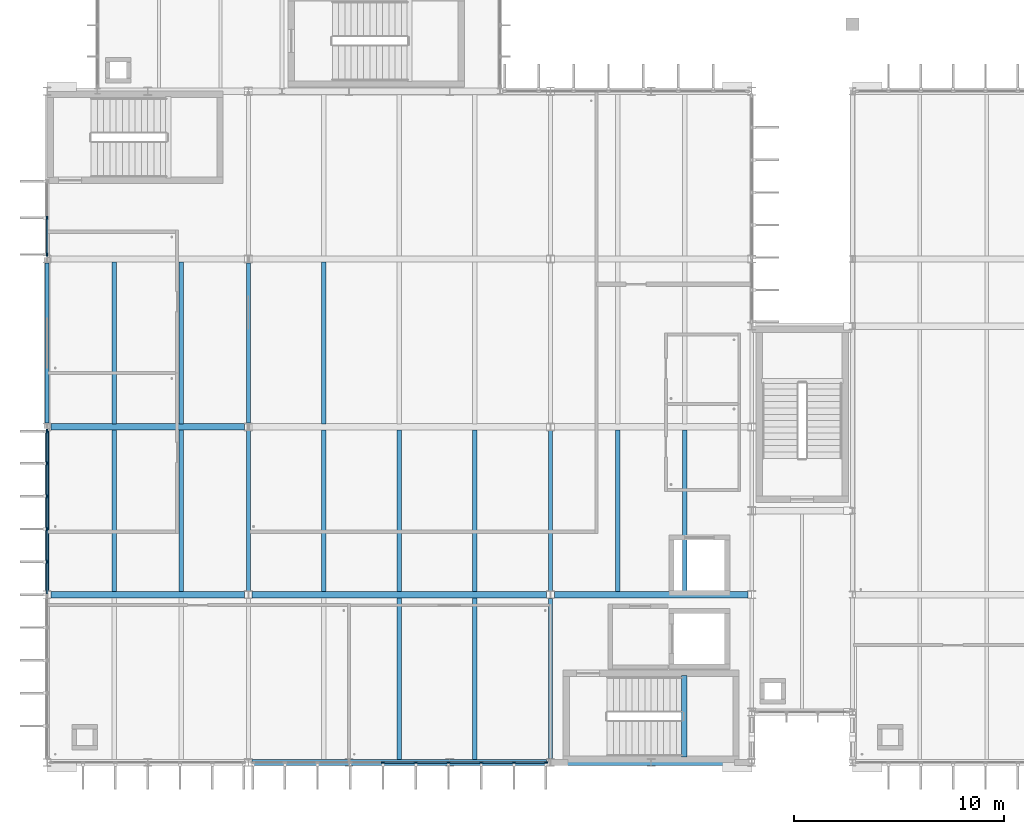
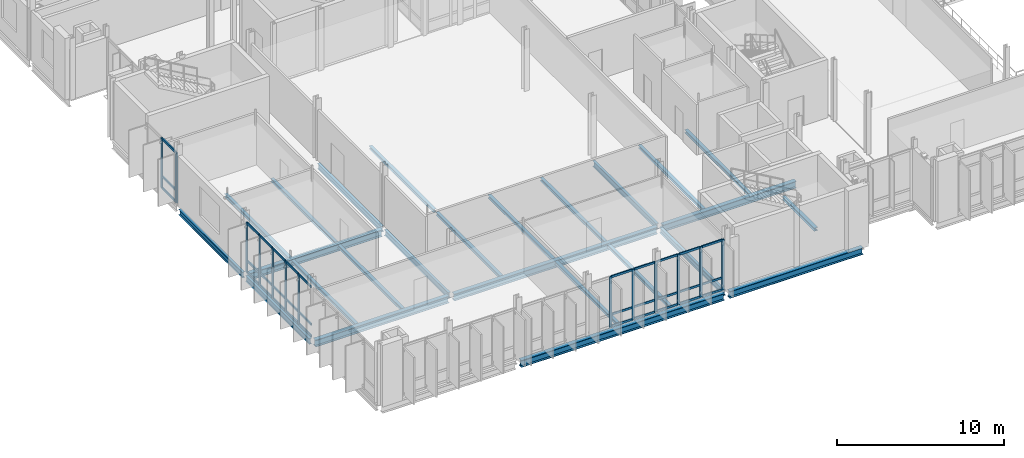
# One storey, part 19 of 110: 46 members, 25 beams, 3 elements without a shape of their own.
"""IFC4 building model written with IfcOpenShell, lengths in metres."""

import ifcopenshell
import ifcopenshell.guid

model = None  # the IFC model being written
_history = None  # IfcOwnerHistory: only IFC2X3 demands one
_inside = {}  # id of a spatial element -> (the spatial element, [elements in it])
_under = {}  # id of a project, library or spatial element -> (it, [spatial elements below it])
_declared = {}  # id of a project -> (the project, [libraries it declares])
_typed = {}  # id of a type object -> (the type object, [elements of that type])
_made_of = {}  # id of a material, layer set ... -> (it, [elements and type objects made of it])


def new_model(schema):
    """Start an empty IFC model of exactly this schema.

    Asked for "IFC4X3", IfcOpenShell would pick the latest addendum, in which some entities
    have other attributes; the version numbers below select the first issue.
    IFC2X3 requires an IfcOwnerHistory on every rooted entity: one is made here for all.
    """
    global model, _history
    if schema == "IFC4X3":
        model = ifcopenshell.file(schema_version=(4, 3, 0, 0))
    else:
        model = ifcopenshell.file(schema=schema)
    _inside.clear()
    _under.clear()
    _declared.clear()
    _typed.clear()
    _made_of.clear()
    _history = None
    if model.schema == "IFC2X3":
        org = make("IfcOrganization", Name="unknown")
        user = make(
            "IfcPersonAndOrganization",
            ThePerson=make("IfcPerson", FamilyName="unknown"),
            TheOrganization=org,
        )
        app = make(
            "IfcApplication",
            ApplicationDeveloper=org,
            Version="unknown",
            ApplicationFullName="unknown",
            ApplicationIdentifier="unknown",
        )
        _history = make(
            "IfcOwnerHistory",
            OwningUser=user,
            OwningApplication=app,
            ChangeAction="ADDED",
            CreationDate=0,
        )
    return model


def make(cls, **values):
    """One entity of the class cls with the attributes given. An attribute that is None is left unset."""
    return model.create_entity(
        cls, **{name: value for name, value in values.items() if value is not None}
    )


def rooted(cls, **values):
    """An entity with a GlobalId (a new one), such as an element, a storey or a relation."""
    return make(cls, GlobalId=ifcopenshell.guid.new(), OwnerHistory=_history, **values)


def si_unit(unit_type, name, prefix=None):
    """IfcSIUnit, for example si_unit("LENGTHUNIT", "METRE", prefix="MILLI")."""
    return make("IfcSIUnit", UnitType=unit_type, Prefix=prefix, Name=name)


def assignment(units):
    """IfcUnitAssignment: the units of a project."""
    return None if units is None else make("IfcUnitAssignment", Units=units)


def point(xyz):
    """IfcCartesianPoint."""
    return None if xyz is None else make("IfcCartesianPoint", Coordinates=xyz)


def direction(xyz):
    """IfcDirection."""
    return None if xyz is None else make("IfcDirection", DirectionRatios=xyz)


def frame(location, z_axis=None, x_axis=None):
    """IfcAxis2Placement3D, a coordinate frame: its origin and axes. An axis left out is left unset."""
    return make(
        "IfcAxis2Placement3D",
        Location=point(location),
        Axis=direction(z_axis),
        RefDirection=direction(x_axis),
    )


def frame_2d(location, x_axis=None):
    """IfcAxis2Placement2D, a coordinate frame in the plane: its origin and x axis."""
    return make(
        "IfcAxis2Placement2D", Location=point(location), RefDirection=direction(x_axis)
    )


def origin():
    """The frame at (0, 0, 0) with its axes left unset."""
    return frame((0.0, 0.0, 0.0))


def origin_2d():
    """The frame at (0, 0) in the plane with its x axis left unset."""
    return frame_2d((0.0, 0.0))


def place(relative_to, where):
    """IfcLocalPlacement: puts the frame where relative to a parent placement (None: the world)."""
    return make(
        "IfcLocalPlacement", PlacementRelTo=relative_to, RelativePlacement=where
    )


def context(
    kind, dimensions, precision=None, world=None, true_north=None, identifier=None
):
    """IfcGeometricRepresentationContext, for example the 3D "Model" context."""
    return make(
        "IfcGeometricRepresentationContext",
        ContextIdentifier=identifier,
        ContextType=kind,
        CoordinateSpaceDimension=dimensions,
        Precision=precision,
        WorldCoordinateSystem=world,
        TrueNorth=true_north,
    )


def subcontext(parent, identifier, kind, view, scale=None):
    """IfcGeometricRepresentationSubContext, for example "Body" below "Model"."""
    return make(
        "IfcGeometricRepresentationSubContext",
        ContextIdentifier=identifier,
        ContextType=kind,
        ParentContext=parent,
        TargetScale=scale,
        TargetView=view,
    )


def project(units=None, contexts=None):
    """IfcProject with its units and contexts."""
    return rooted(
        "IfcProject",
        Name="project",
        RepresentationContexts=contexts,
        UnitsInContext=assignment(units),
    )


def spatial(cls, under=None, at=None, **own):
    """A site, building, storey or space (cls), placed at a placement, below another one or the project."""
    s = rooted(cls, ObjectPlacement=at, **own)
    if under is not None:
        _under.setdefault(under.id(), (under, []))[1].append(s)
    return s


def profile(cls, at=None, kind="AREA", **sizes):
    """A parametric profile (cls). Its sizes go by their IFC names, for example OverallWidth=200.0."""
    return make(cls, ProfileType=kind, Position=at, **sizes)


def rectangle(**sizes):
    """IfcRectangleProfileDef."""
    return profile("IfcRectangleProfileDef", **sizes)


def i_section(**sizes):
    """IfcIShapeProfileDef."""
    return profile("IfcIShapeProfileDef", **sizes)


def extrude(swept, where, along, depth):
    """IfcExtrudedAreaSolid: the profile swept, set in the frame where, extruded along a direction by depth."""
    return make(
        "IfcExtrudedAreaSolid",
        SweptArea=swept,
        Position=where,
        ExtrudedDirection=direction(along),
        Depth=depth,
    )


def shape(context_of_items, identifier, shape_type, items):
    """IfcShapeRepresentation: the items that make up one representation, for example the "Body"."""
    return make(
        "IfcShapeRepresentation",
        ContextOfItems=context_of_items,
        RepresentationIdentifier=identifier,
        RepresentationType=shape_type,
        Items=items,
    )


def material(Name=None, Category=None):
    """IfcMaterial."""
    return make("IfcMaterial", Name=Name, Category=Category)


def material_profile(
    of_material, cross_section, Name=None, Category=None, Priority=None
):
    """IfcMaterialProfile: a cross section and its material."""
    return make(
        "IfcMaterialProfile",
        Name=Name,
        Material=of_material,
        Profile=cross_section,
        Priority=Priority,
        Category=Category,
    )


def profile_set(profiles, Name=None, composite=None):
    """IfcMaterialProfileSet."""
    return make(
        "IfcMaterialProfileSet",
        Name=Name,
        MaterialProfiles=profiles,
        CompositeProfile=composite,
    )


def made_of(thing, what):
    """Note that an element or type object is made of a material, layer set ...; save() writes the relation."""
    if what is not None:
        _made_of.setdefault(what.id(), (what, []))[1].append(thing)
    return thing


def type_object(cls, material=None, **own):
    """A type object (cls), such as IfcWallType, which elements share."""
    return made_of(rooted(cls, **own), material)


def element(
    cls,
    number,
    at=None,
    inside=None,
    cuts=None,
    type_object=None,
    material=None,
    context=None,
    identifier="Body",
    shape_type=None,
    held_by="IfcProductDefinitionShape",
    body=None,
    shapes=None,
    **own,
):
    """One element of the class cls, such as IfcWall. Its Tag is "e" and its number.

    at: its placement. inside: the storey or other place that contains it. cuts: it is an
    opening in that element (IfcRelVoidsElement). A single representation is given by context,
    identifier, shape_type and body (its items); several are given by shapes. held_by: the class
    of the entity that holds the representations. save() writes the other relations.
    """
    e = rooted(cls, Tag="e%d" % number, ObjectPlacement=at, **own)
    if body is not None:
        shapes = [shape(context, identifier, shape_type, body)]
    if shapes is not None:
        e.Representation = make(held_by, Representations=shapes)
    if inside is not None:
        _inside.setdefault(inside.id(), (inside, []))[1].append(e)
    if cuts is not None:
        rooted(
            "IfcRelVoidsElement", RelatingBuildingElement=cuts, RelatedOpeningElement=e
        )
    if type_object is not None:
        _typed.setdefault(type_object.id(), (type_object, []))[1].append(e)
    return made_of(e, material)


def aggregate(whole, parts):
    """IfcRelAggregates: a whole, such as a stair, and the parts it consists of."""
    return rooted("IfcRelAggregates", RelatingObject=whole, RelatedObjects=parts)


def save(model, path):
    """Write the relations noted so far, then the file.

    IfcRelAggregates (storeys below a building ...), IfcRelContainedInSpatialStructure (elements
    in a storey), IfcRelDefinesByType, IfcRelAssociatesMaterial and IfcRelDeclares: one each for
    every whole, place, type object, material and project.
    """
    for whole, parts in _under.values():
        aggregate(whole, parts)
    for where, things in _inside.values():
        rooted(
            "IfcRelContainedInSpatialStructure",
            RelatedElements=things,
            RelatingStructure=where,
        )
    for kind, things in _typed.values():
        rooted("IfcRelDefinesByType", RelatedObjects=things, RelatingType=kind)
    for what, things in _made_of.values():
        rooted("IfcRelAssociatesMaterial", RelatedObjects=things, RelatingMaterial=what)
    for by, libraries in _declared.values():
        rooted("IfcRelDeclares", RelatingContext=by, RelatedDefinitions=libraries)
    model.write(path)


model = new_model("IFC4")

# Units and contexts
model_context = context("Model", 3, precision=1e-05, world=origin(), true_north=direction((0.0, 1.0)))
body_context = subcontext(model_context, "Body", "Model", "MODEL_VIEW")
ifc_project = project(units=[si_unit("LENGTHUNIT", "METRE"), si_unit("AREAUNIT", "SQUARE_METRE"), si_unit("VOLUMEUNIT", "CUBIC_METRE"), si_unit("PLANEANGLEUNIT", "RADIAN"), si_unit("MASSUNIT", "GRAM", prefix="KILO")], contexts=[model_context])

# Site, building, storey
site_placement = place(None, origin())
site = spatial("IfcSite", under=ifc_project, at=site_placement, CompositionType="ELEMENT")
building_placement = place(site_placement, origin())
building = spatial("IfcBuilding", under=site, at=building_placement, Name="Dunescarp Central Library", CompositionType="ELEMENT")
storey_placement = place(building_placement, frame((0.0, 0.0, 9.60009765625)))
storey = spatial("IfcBuildingStorey", under=building, at=storey_placement, Name="L02", CompositionType="ELEMENT", Elevation=9.60009765625)

# Curtain wall, members
ifc_material_1 = material(Name="Marine-grade anodised aluminium 6063-T6", Category="aluminium")
curtain_wall_type = type_object("IfcCurtainWallType", Name="ARC-CW-STICK", PredefinedType="NOTDEFINED", material=ifc_material_1)
curtain_wall_1_placement = place(storey_placement, origin())
curtain_wall_1 = element("IfcCurtainWall", 1, at=curtain_wall_1_placement, inside=storey, type_object=curtain_wall_type, Name="L02 curtain wall CW-V1-013", PredefinedType="NOTDEFINED")
ifc_material_profile_1 = material_profile(ifc_material_1, rectangle(XDim=0.080078125, YDim=0.179931640625, at=origin_2d()), Name="AL 80x180")
ifc_profile_set_1 = profile_set([ifc_material_profile_1], Name="Marine-grade anodised aluminium 6063-T6")
member_type_1 = type_object("IfcMemberType", Name="ARC-CWM-180", PredefinedType="MULLION", material=ifc_profile_set_1)
member_1_placement = place(storey_placement, frame((23.784912109375, 4.800048828125, 0.0), z_axis=(0.0, 0.0, 1.0), x_axis=(0.0, -1.0, 0.0)))
member_1 = element("IfcMember", 2, at=member_1_placement, type_object=member_type_1, Name="CW-V1-013 mullion 1", PredefinedType="MULLION", context=body_context, shape_type="SweptSolid", body=[
    extrude(rectangle(XDim=0.080078125, YDim=0.179931640625, at=origin_2d()), origin(), (0.0, 0.0, 1.0), 3.684814453125),
])
member_2_placement = place(storey_placement, frame((22.263916015625, 4.800048828125, 0.0), z_axis=(0.0, 0.0, 1.0), x_axis=(0.0, -1.0, 0.0)))
member_2 = element("IfcMember", 3, at=member_2_placement, type_object=member_type_1, Name="CW-V1-013 mullion 2", PredefinedType="MULLION", context=body_context, shape_type="SweptSolid", body=[
    extrude(rectangle(XDim=0.080078125, YDim=0.179931640625, at=origin_2d()), origin(), (0.0, 0.0, 1.0), 3.684814453125),
])
member_3_placement = place(storey_placement, frame((20.702880859375, 4.800048828125, 0.0), z_axis=(0.0, 0.0, 1.0), x_axis=(0.0, -1.0, 0.0)))
member_3 = element("IfcMember", 4, at=member_3_placement, type_object=member_type_1, Name="CW-V1-013 mullion 3", PredefinedType="MULLION", context=body_context, shape_type="SweptSolid", body=[
    extrude(rectangle(XDim=0.080078125, YDim=0.179931640625, at=origin_2d()), origin(), (0.0, 0.0, 1.0), 3.684814453125),
])
member_4_placement = place(storey_placement, frame((19.1416015625, 4.800048828125, 0.0), z_axis=(0.0, 0.0, 1.0), x_axis=(0.0, -1.0, 0.0)))
member_4 = element("IfcMember", 5, at=member_4_placement, type_object=member_type_1, Name="CW-V1-013 mullion 4", PredefinedType="MULLION", context=body_context, shape_type="SweptSolid", body=[
    extrude(rectangle(XDim=0.080078125, YDim=0.179931640625, at=origin_2d()), origin(), (0.0, 0.0, 1.0), 3.684814453125),
])
member_5_placement = place(storey_placement, frame((17.58056640625, 4.800048828125, 0.0), z_axis=(0.0, 0.0, 1.0), x_axis=(0.0, -1.0, 0.0)))
member_5 = element("IfcMember", 6, at=member_5_placement, type_object=member_type_1, Name="CW-V1-013 mullion 5", PredefinedType="MULLION", context=body_context, shape_type="SweptSolid", body=[
    extrude(rectangle(XDim=0.080078125, YDim=0.179931640625, at=origin_2d()), origin(), (0.0, 0.0, 1.0), 3.684814453125),
])
member_6_placement = place(storey_placement, frame((16.01953125, 4.800048828125, 0.0), z_axis=(0.0, 0.0, 1.0), x_axis=(0.0, -1.0, 0.0)))
member_6 = element("IfcMember", 7, at=member_6_placement, type_object=member_type_1, Name="CW-V1-013 mullion 6", PredefinedType="MULLION", context=body_context, shape_type="SweptSolid", body=[
    extrude(rectangle(XDim=0.080078125, YDim=0.179931640625, at=origin_2d()), origin(), (0.0, 0.0, 1.0), 3.684814453125),
])

curtain_wall_2_placement = place(storey_placement, origin())
curtain_wall_2 = element("IfcCurtainWall", 8, at=curtain_wall_2_placement, inside=storey, type_object=curtain_wall_type, Name="L02 curtain wall CW-V1-015", PredefinedType="NOTDEFINED")
member_7_placement = place(storey_placement, frame((0.0, 14.364990234375, 0.0), z_axis=(0.0, 0.0, 1.0), x_axis=(-1.0, 0.0, 0.0)))
member_7 = element("IfcMember", 9, at=member_7_placement, type_object=member_type_1, Name="CW-V1-015 mullion 7", PredefinedType="MULLION", context=body_context, shape_type="SweptSolid", body=[
    extrude(rectangle(XDim=0.080078125, YDim=0.179931640625, at=origin_2d()), origin(), (0.0, 0.0, 1.0), 3.684814453125),
])
member_8_placement = place(storey_placement, frame((0.0, 15.929931640625, 0.0), z_axis=(0.0, 0.0, 1.0), x_axis=(-1.0, 0.0, 0.0)))
member_8 = element("IfcMember", 10, at=member_8_placement, type_object=member_type_1, Name="CW-V1-015 mullion 8", PredefinedType="MULLION", context=body_context, shape_type="SweptSolid", body=[
    extrude(rectangle(XDim=0.080078125, YDim=0.179931640625, at=origin_2d()), origin(), (0.0, 0.0, 1.0), 3.684814453125),
])
member_9_placement = place(storey_placement, frame((0.0, 17.4951171875, 0.0), z_axis=(0.0, 0.0, 1.0), x_axis=(-1.0, 0.0, 0.0)))
member_9 = element("IfcMember", 11, at=member_9_placement, type_object=member_type_1, Name="CW-V1-015 mullion 9", PredefinedType="MULLION", context=body_context, shape_type="SweptSolid", body=[
    extrude(rectangle(XDim=0.080078125, YDim=0.179931640625, at=origin_2d()), origin(), (0.0, 0.0, 1.0), 3.684814453125),
])
member_10_placement = place(storey_placement, frame((0.0, 19.06005859375, 0.0), z_axis=(0.0, 0.0, 1.0), x_axis=(-1.0, 0.0, 0.0)))
member_10 = element("IfcMember", 12, at=member_10_placement, type_object=member_type_1, Name="CW-V1-015 mullion 10", PredefinedType="MULLION", context=body_context, shape_type="SweptSolid", body=[
    extrude(rectangle(XDim=0.080078125, YDim=0.179931640625, at=origin_2d()), origin(), (0.0, 0.0, 1.0), 3.684814453125),
])
member_11_placement = place(storey_placement, frame((0.0, 20.5849609375, 0.0), z_axis=(0.0, 0.0, 1.0), x_axis=(-1.0, 0.0, 0.0)))
member_11 = element("IfcMember", 13, at=member_11_placement, type_object=member_type_1, Name="CW-V1-015 mullion 11", PredefinedType="MULLION", context=body_context, shape_type="SweptSolid", body=[
    extrude(rectangle(XDim=0.080078125, YDim=0.179931640625, at=origin_2d()), origin(), (0.0, 0.0, 1.0), 3.684814453125),
])

curtain_wall_3_placement = place(storey_placement, origin())
curtain_wall_3 = element("IfcCurtainWall", 14, at=curtain_wall_3_placement, inside=storey, type_object=curtain_wall_type, Name="L02 curtain wall CW-V1-016", PredefinedType="NOTDEFINED")
member_12_placement = place(storey_placement, frame((0.0, 29.014892578125, 0.0), z_axis=(0.0, 0.0, 1.0), x_axis=(-1.0, 0.0, 0.0)))
member_12 = element("IfcMember", 15, at=member_12_placement, type_object=member_type_1, Name="CW-V1-016 mullion 1", PredefinedType="MULLION", context=body_context, shape_type="SweptSolid", body=[
    extrude(rectangle(XDim=0.080078125, YDim=0.179931640625, at=origin_2d()), origin(), (0.0, 0.0, 1.0), 3.684814453125),
])
member_13_placement = place(storey_placement, frame((0.0, 30.762451171875, 0.0), z_axis=(0.0, 0.0, 1.0), x_axis=(-1.0, 0.0, 0.0)))
member_13 = element("IfcMember", 16, at=member_13_placement, type_object=member_type_1, Name="CW-V1-016 mullion 2", PredefinedType="MULLION", context=body_context, shape_type="SweptSolid", body=[
    extrude(rectangle(XDim=0.080078125, YDim=0.179931640625, at=origin_2d()), origin(), (0.0, 0.0, 1.0), 3.684814453125),
])

# Member
ifc_material_profile_2 = material_profile(ifc_material_1, rectangle(XDim=0.080078125, YDim=0.14990234375, at=origin_2d()), Name="AL 80x150")
ifc_profile_set_2 = profile_set([ifc_material_profile_2], Name="Marine-grade anodised aluminium 6063-T6")
member_type_2 = type_object("IfcMemberType", Name="ARC-CWT-150", PredefinedType="USERDEFINED", material=ifc_profile_set_2)
member_14_placement = place(storey_placement, frame((23.7451171875, 4.800048828125, 0.039794921875), z_axis=(-1.0, 0.0, 0.0), x_axis=(0.0, -1.0, 0.0)))
member_14 = element("IfcMember", 17, at=member_14_placement, type_object=member_type_2, Name="CW-V1-013 transom 1.1", ObjectType="TRANSOM", PredefinedType="USERDEFINED", context=body_context, shape_type="SweptSolid", body=[
    extrude(rectangle(XDim=0.080078125, YDim=0.14990234375, at=origin_2d()), origin(), (0.0, 0.0, 1.0), 1.441162109375),
])

member_15_placement = place(storey_placement, frame((23.7451171875, 4.800048828125, 0.89990234375), z_axis=(-1.0, 0.0, 0.0), x_axis=(0.0, -1.0, 0.0)))
member_15 = element("IfcMember", 18, at=member_15_placement, type_object=member_type_2, Name="CW-V1-013 transom 1.2", ObjectType="TRANSOM", PredefinedType="USERDEFINED", context=body_context, shape_type="SweptSolid", body=[
    extrude(rectangle(XDim=0.080078125, YDim=0.14990234375, at=origin_2d()), origin(), (0.0, 0.0, 1.0), 1.441162109375),
])

member_16_placement = place(storey_placement, frame((23.7451171875, 4.800048828125, 3.64501953125), z_axis=(-1.0, 0.0, 0.0), x_axis=(0.0, -1.0, 0.0)))
member_16 = element("IfcMember", 19, at=member_16_placement, type_object=member_type_2, Name="CW-V1-013 transom 1.3", ObjectType="TRANSOM", PredefinedType="USERDEFINED", context=body_context, shape_type="SweptSolid", body=[
    extrude(rectangle(XDim=0.080078125, YDim=0.14990234375, at=origin_2d()), origin(), (0.0, 0.0, 1.0), 1.441162109375),
])

member_17_placement = place(storey_placement, frame((22.223876953125, 4.800048828125, 0.039794921875), z_axis=(-1.0, 0.0, 0.0), x_axis=(0.0, -1.0, 0.0)))
member_17 = element("IfcMember", 20, at=member_17_placement, type_object=member_type_2, Name="CW-V1-013 transom 2.1", ObjectType="TRANSOM", PredefinedType="USERDEFINED", context=body_context, shape_type="SweptSolid", body=[
    extrude(rectangle(XDim=0.080078125, YDim=0.14990234375, at=origin_2d()), origin(), (0.0, 0.0, 1.0), 1.481201171875),
])

member_18_placement = place(storey_placement, frame((22.223876953125, 4.800048828125, 0.89990234375), z_axis=(-1.0, 0.0, 0.0), x_axis=(0.0, -1.0, 0.0)))
member_18 = element("IfcMember", 21, at=member_18_placement, type_object=member_type_2, Name="CW-V1-013 transom 2.2", ObjectType="TRANSOM", PredefinedType="USERDEFINED", context=body_context, shape_type="SweptSolid", body=[
    extrude(rectangle(XDim=0.080078125, YDim=0.14990234375, at=origin_2d()), origin(), (0.0, 0.0, 1.0), 1.481201171875),
])

member_19_placement = place(storey_placement, frame((22.223876953125, 4.800048828125, 3.64501953125), z_axis=(-1.0, 0.0, 0.0), x_axis=(0.0, -1.0, 0.0)))
member_19 = element("IfcMember", 22, at=member_19_placement, type_object=member_type_2, Name="CW-V1-013 transom 2.3", ObjectType="TRANSOM", PredefinedType="USERDEFINED", context=body_context, shape_type="SweptSolid", body=[
    extrude(rectangle(XDim=0.080078125, YDim=0.14990234375, at=origin_2d()), origin(), (0.0, 0.0, 1.0), 1.481201171875),
])

member_20_placement = place(storey_placement, frame((20.662841796875, 4.800048828125, 0.039794921875), z_axis=(-1.0, 0.0, 0.0), x_axis=(0.0, -1.0, 0.0)))
member_20 = element("IfcMember", 23, at=member_20_placement, type_object=member_type_2, Name="CW-V1-013 transom 3.1", ObjectType="TRANSOM", PredefinedType="USERDEFINED", context=body_context, shape_type="SweptSolid", body=[
    extrude(rectangle(XDim=0.080078125, YDim=0.14990234375, at=origin_2d()), origin(), (0.0, 0.0, 1.0), 1.481201171875),
])

member_21_placement = place(storey_placement, frame((20.662841796875, 4.800048828125, 0.89990234375), z_axis=(-1.0, 0.0, 0.0), x_axis=(0.0, -1.0, 0.0)))
member_21 = element("IfcMember", 24, at=member_21_placement, type_object=member_type_2, Name="CW-V1-013 transom 3.2", ObjectType="TRANSOM", PredefinedType="USERDEFINED", context=body_context, shape_type="SweptSolid", body=[
    extrude(rectangle(XDim=0.080078125, YDim=0.14990234375, at=origin_2d()), origin(), (0.0, 0.0, 1.0), 1.481201171875),
])

member_22_placement = place(storey_placement, frame((20.662841796875, 4.800048828125, 3.64501953125), z_axis=(-1.0, 0.0, 0.0), x_axis=(0.0, -1.0, 0.0)))
member_22 = element("IfcMember", 25, at=member_22_placement, type_object=member_type_2, Name="CW-V1-013 transom 3.3", ObjectType="TRANSOM", PredefinedType="USERDEFINED", context=body_context, shape_type="SweptSolid", body=[
    extrude(rectangle(XDim=0.080078125, YDim=0.14990234375, at=origin_2d()), origin(), (0.0, 0.0, 1.0), 1.481201171875),
])

member_23_placement = place(storey_placement, frame((19.1015625, 4.800048828125, 0.039794921875), z_axis=(-1.0, 0.0, 0.0), x_axis=(0.0, -1.0, 0.0)))
member_23 = element("IfcMember", 26, at=member_23_placement, type_object=member_type_2, Name="CW-V1-013 transom 4.1", ObjectType="TRANSOM", PredefinedType="USERDEFINED", context=body_context, shape_type="SweptSolid", body=[
    extrude(rectangle(XDim=0.080078125, YDim=0.14990234375, at=origin_2d()), origin(), (0.0, 0.0, 1.0), 1.48095703125),
])

member_24_placement = place(storey_placement, frame((19.1015625, 4.800048828125, 0.89990234375), z_axis=(-1.0, 0.0, 0.0), x_axis=(0.0, -1.0, 0.0)))
member_24 = element("IfcMember", 27, at=member_24_placement, type_object=member_type_2, Name="CW-V1-013 transom 4.2", ObjectType="TRANSOM", PredefinedType="USERDEFINED", context=body_context, shape_type="SweptSolid", body=[
    extrude(rectangle(XDim=0.080078125, YDim=0.14990234375, at=origin_2d()), origin(), (0.0, 0.0, 1.0), 1.48095703125),
])

member_25_placement = place(storey_placement, frame((19.1015625, 4.800048828125, 3.64501953125), z_axis=(-1.0, 0.0, 0.0), x_axis=(0.0, -1.0, 0.0)))
member_25 = element("IfcMember", 28, at=member_25_placement, type_object=member_type_2, Name="CW-V1-013 transom 4.3", ObjectType="TRANSOM", PredefinedType="USERDEFINED", context=body_context, shape_type="SweptSolid", body=[
    extrude(rectangle(XDim=0.080078125, YDim=0.14990234375, at=origin_2d()), origin(), (0.0, 0.0, 1.0), 1.48095703125),
])

member_26_placement = place(storey_placement, frame((17.54052734375, 4.800048828125, 0.039794921875), z_axis=(-1.0, 0.0, 0.0), x_axis=(0.0, -1.0, 0.0)))
member_26 = element("IfcMember", 29, at=member_26_placement, type_object=member_type_2, Name="CW-V1-013 transom 5.1", ObjectType="TRANSOM", PredefinedType="USERDEFINED", context=body_context, shape_type="SweptSolid", body=[
    extrude(rectangle(XDim=0.080078125, YDim=0.14990234375, at=origin_2d()), origin(), (0.0, 0.0, 1.0), 1.481201171875),
])

member_27_placement = place(storey_placement, frame((17.54052734375, 4.800048828125, 0.89990234375), z_axis=(-1.0, 0.0, 0.0), x_axis=(0.0, -1.0, 0.0)))
member_27 = element("IfcMember", 30, at=member_27_placement, type_object=member_type_2, Name="CW-V1-013 transom 5.2", ObjectType="TRANSOM", PredefinedType="USERDEFINED", context=body_context, shape_type="SweptSolid", body=[
    extrude(rectangle(XDim=0.080078125, YDim=0.14990234375, at=origin_2d()), origin(), (0.0, 0.0, 1.0), 1.481201171875),
])

member_28_placement = place(storey_placement, frame((17.54052734375, 4.800048828125, 3.64501953125), z_axis=(-1.0, 0.0, 0.0), x_axis=(0.0, -1.0, 0.0)))
member_28 = element("IfcMember", 31, at=member_28_placement, type_object=member_type_2, Name="CW-V1-013 transom 5.3", ObjectType="TRANSOM", PredefinedType="USERDEFINED", context=body_context, shape_type="SweptSolid", body=[
    extrude(rectangle(XDim=0.080078125, YDim=0.14990234375, at=origin_2d()), origin(), (0.0, 0.0, 1.0), 1.481201171875),
])

aggregate(curtain_wall_1, [member_1, member_2, member_3, member_4, member_5, member_6, member_14, member_15, member_16, member_17, member_18, member_19, member_20, member_21, member_22, member_23, member_24, member_25, member_26, member_27, member_28])

member_29_placement = place(storey_placement, frame((0.0, 12.840087890625, 0.039794921875), z_axis=(0.0, 1.0, 0.0), x_axis=(-1.0, 0.0, 0.0)))
member_29 = element("IfcMember", 32, at=member_29_placement, type_object=member_type_2, Name="CW-V1-015 transom 6.1", ObjectType="TRANSOM", PredefinedType="USERDEFINED", context=body_context, shape_type="SweptSolid", body=[
    extrude(rectangle(XDim=0.080078125, YDim=0.14990234375, at=origin_2d()), origin(), (0.0, 0.0, 1.0), 1.48486328125),
])

member_30_placement = place(storey_placement, frame((0.0, 12.840087890625, 0.89990234375), z_axis=(0.0, 1.0, 0.0), x_axis=(-1.0, 0.0, 0.0)))
member_30 = element("IfcMember", 33, at=member_30_placement, type_object=member_type_2, Name="CW-V1-015 transom 6.2", ObjectType="TRANSOM", PredefinedType="USERDEFINED", context=body_context, shape_type="SweptSolid", body=[
    extrude(rectangle(XDim=0.080078125, YDim=0.14990234375, at=origin_2d()), origin(), (0.0, 0.0, 1.0), 1.48486328125),
])

member_31_placement = place(storey_placement, frame((0.0, 12.840087890625, 3.64501953125), z_axis=(0.0, 1.0, 0.0), x_axis=(-1.0, 0.0, 0.0)))
member_31 = element("IfcMember", 34, at=member_31_placement, type_object=member_type_2, Name="CW-V1-015 transom 6.3", ObjectType="TRANSOM", PredefinedType="USERDEFINED", context=body_context, shape_type="SweptSolid", body=[
    extrude(rectangle(XDim=0.080078125, YDim=0.14990234375, at=origin_2d()), origin(), (0.0, 0.0, 1.0), 1.48486328125),
])

member_32_placement = place(storey_placement, frame((0.0, 14.405029296875, 0.039794921875), z_axis=(0.0, 1.0, 0.0), x_axis=(-1.0, 0.0, 0.0)))
member_32 = element("IfcMember", 35, at=member_32_placement, type_object=member_type_2, Name="CW-V1-015 transom 7.1", ObjectType="TRANSOM", PredefinedType="USERDEFINED", context=body_context, shape_type="SweptSolid", body=[
    extrude(rectangle(XDim=0.080078125, YDim=0.14990234375, at=origin_2d()), origin(), (0.0, 0.0, 1.0), 1.48486328125),
])

member_33_placement = place(storey_placement, frame((0.0, 14.405029296875, 0.89990234375), z_axis=(0.0, 1.0, 0.0), x_axis=(-1.0, 0.0, 0.0)))
member_33 = element("IfcMember", 36, at=member_33_placement, type_object=member_type_2, Name="CW-V1-015 transom 7.2", ObjectType="TRANSOM", PredefinedType="USERDEFINED", context=body_context, shape_type="SweptSolid", body=[
    extrude(rectangle(XDim=0.080078125, YDim=0.14990234375, at=origin_2d()), origin(), (0.0, 0.0, 1.0), 1.48486328125),
])

member_34_placement = place(storey_placement, frame((0.0, 14.405029296875, 3.64501953125), z_axis=(0.0, 1.0, 0.0), x_axis=(-1.0, 0.0, 0.0)))
member_34 = element("IfcMember", 37, at=member_34_placement, type_object=member_type_2, Name="CW-V1-015 transom 7.3", ObjectType="TRANSOM", PredefinedType="USERDEFINED", context=body_context, shape_type="SweptSolid", body=[
    extrude(rectangle(XDim=0.080078125, YDim=0.14990234375, at=origin_2d()), origin(), (0.0, 0.0, 1.0), 1.48486328125),
])

member_35_placement = place(storey_placement, frame((0.0, 15.969970703125, 0.039794921875), z_axis=(0.0, 1.0, 0.0), x_axis=(-1.0, 0.0, 0.0)))
member_35 = element("IfcMember", 38, at=member_35_placement, type_object=member_type_2, Name="CW-V1-015 transom 8.1", ObjectType="TRANSOM", PredefinedType="USERDEFINED", context=body_context, shape_type="SweptSolid", body=[
    extrude(rectangle(XDim=0.080078125, YDim=0.14990234375, at=origin_2d()), origin(), (0.0, 0.0, 1.0), 1.485107421875),
])

member_36_placement = place(storey_placement, frame((0.0, 15.969970703125, 0.89990234375), z_axis=(0.0, 1.0, 0.0), x_axis=(-1.0, 0.0, 0.0)))
member_36 = element("IfcMember", 39, at=member_36_placement, type_object=member_type_2, Name="CW-V1-015 transom 8.2", ObjectType="TRANSOM", PredefinedType="USERDEFINED", context=body_context, shape_type="SweptSolid", body=[
    extrude(rectangle(XDim=0.080078125, YDim=0.14990234375, at=origin_2d()), origin(), (0.0, 0.0, 1.0), 1.485107421875),
])

member_37_placement = place(storey_placement, frame((0.0, 15.969970703125, 3.64501953125), z_axis=(0.0, 1.0, 0.0), x_axis=(-1.0, 0.0, 0.0)))
member_37 = element("IfcMember", 40, at=member_37_placement, type_object=member_type_2, Name="CW-V1-015 transom 8.3", ObjectType="TRANSOM", PredefinedType="USERDEFINED", context=body_context, shape_type="SweptSolid", body=[
    extrude(rectangle(XDim=0.080078125, YDim=0.14990234375, at=origin_2d()), origin(), (0.0, 0.0, 1.0), 1.485107421875),
])

member_38_placement = place(storey_placement, frame((0.0, 17.534912109375, 0.039794921875), z_axis=(0.0, 1.0, 0.0), x_axis=(-1.0, 0.0, 0.0)))
member_38 = element("IfcMember", 41, at=member_38_placement, type_object=member_type_2, Name="CW-V1-015 transom 9.1", ObjectType="TRANSOM", PredefinedType="USERDEFINED", context=body_context, shape_type="SweptSolid", body=[
    extrude(rectangle(XDim=0.080078125, YDim=0.14990234375, at=origin_2d()), origin(), (0.0, 0.0, 1.0), 1.485107421875),
])

member_39_placement = place(storey_placement, frame((0.0, 17.534912109375, 0.89990234375), z_axis=(0.0, 1.0, 0.0), x_axis=(-1.0, 0.0, 0.0)))
member_39 = element("IfcMember", 42, at=member_39_placement, type_object=member_type_2, Name="CW-V1-015 transom 9.2", ObjectType="TRANSOM", PredefinedType="USERDEFINED", context=body_context, shape_type="SweptSolid", body=[
    extrude(rectangle(XDim=0.080078125, YDim=0.14990234375, at=origin_2d()), origin(), (0.0, 0.0, 1.0), 1.485107421875),
])

member_40_placement = place(storey_placement, frame((0.0, 17.534912109375, 3.64501953125), z_axis=(0.0, 1.0, 0.0), x_axis=(-1.0, 0.0, 0.0)))
member_40 = element("IfcMember", 43, at=member_40_placement, type_object=member_type_2, Name="CW-V1-015 transom 9.3", ObjectType="TRANSOM", PredefinedType="USERDEFINED", context=body_context, shape_type="SweptSolid", body=[
    extrude(rectangle(XDim=0.080078125, YDim=0.14990234375, at=origin_2d()), origin(), (0.0, 0.0, 1.0), 1.485107421875),
])

member_41_placement = place(storey_placement, frame((0.0, 19.10009765625, 0.039794921875), z_axis=(0.0, 1.0, 0.0), x_axis=(-1.0, 0.0, 0.0)))
member_41 = element("IfcMember", 44, at=member_41_placement, type_object=member_type_2, Name="CW-V1-015 transom 10.1", ObjectType="TRANSOM", PredefinedType="USERDEFINED", context=body_context, shape_type="SweptSolid", body=[
    extrude(rectangle(XDim=0.080078125, YDim=0.14990234375, at=origin_2d()), origin(), (0.0, 0.0, 1.0), 1.44482421875),
])

member_42_placement = place(storey_placement, frame((0.0, 19.10009765625, 0.89990234375), z_axis=(0.0, 1.0, 0.0), x_axis=(-1.0, 0.0, 0.0)))
member_42 = element("IfcMember", 45, at=member_42_placement, type_object=member_type_2, Name="CW-V1-015 transom 10.2", ObjectType="TRANSOM", PredefinedType="USERDEFINED", context=body_context, shape_type="SweptSolid", body=[
    extrude(rectangle(XDim=0.080078125, YDim=0.14990234375, at=origin_2d()), origin(), (0.0, 0.0, 1.0), 1.44482421875),
])

member_43_placement = place(storey_placement, frame((0.0, 19.10009765625, 3.64501953125), z_axis=(0.0, 1.0, 0.0), x_axis=(-1.0, 0.0, 0.0)))
member_43 = element("IfcMember", 46, at=member_43_placement, type_object=member_type_2, Name="CW-V1-015 transom 10.3", ObjectType="TRANSOM", PredefinedType="USERDEFINED", context=body_context, shape_type="SweptSolid", body=[
    extrude(rectangle(XDim=0.080078125, YDim=0.14990234375, at=origin_2d()), origin(), (0.0, 0.0, 1.0), 1.44482421875),
])

aggregate(curtain_wall_2, [member_7, member_8, member_9, member_10, member_11, member_29, member_30, member_31, member_32, member_33, member_34, member_35, member_36, member_37, member_38, member_39, member_40, member_41, member_42, member_43])

member_44_placement = place(storey_placement, frame((0.0, 29.054931640625, 0.039794921875), z_axis=(0.0, 1.0, 0.0), x_axis=(-1.0, 0.0, 0.0)))
member_44 = element("IfcMember", 47, at=member_44_placement, type_object=member_type_2, Name="CW-V1-016 transom 1.1", ObjectType="TRANSOM", PredefinedType="USERDEFINED", context=body_context, shape_type="SweptSolid", body=[
    extrude(rectangle(XDim=0.080078125, YDim=0.14990234375, at=origin_2d()), origin(), (0.0, 0.0, 1.0), 1.66748046875),
])

member_45_placement = place(storey_placement, frame((0.0, 29.054931640625, 0.89990234375), z_axis=(0.0, 1.0, 0.0), x_axis=(-1.0, 0.0, 0.0)))
member_45 = element("IfcMember", 48, at=member_45_placement, type_object=member_type_2, Name="CW-V1-016 transom 1.2", ObjectType="TRANSOM", PredefinedType="USERDEFINED", context=body_context, shape_type="SweptSolid", body=[
    extrude(rectangle(XDim=0.080078125, YDim=0.14990234375, at=origin_2d()), origin(), (0.0, 0.0, 1.0), 1.66748046875),
])

member_46_placement = place(storey_placement, frame((0.0, 29.054931640625, 3.64501953125), z_axis=(0.0, 1.0, 0.0), x_axis=(-1.0, 0.0, 0.0)))
member_46 = element("IfcMember", 49, at=member_46_placement, type_object=member_type_2, Name="CW-V1-016 transom 1.3", ObjectType="TRANSOM", PredefinedType="USERDEFINED", context=body_context, shape_type="SweptSolid", body=[
    extrude(rectangle(XDim=0.080078125, YDim=0.14990234375, at=origin_2d()), origin(), (0.0, 0.0, 1.0), 1.66748046875),
])

aggregate(curtain_wall_3, [member_12, member_13, member_44, member_45, member_46])

# Beams
ifc_material_2 = material(Name="Steel S355JR", Category="steel")
ifc_material_profile_3 = material_profile(ifc_material_2, i_section(OverallWidth=0.300048828125, OverallDepth=0.5, WebThickness=0.014404296875, FlangeThickness=0.028076171875, at=origin_2d()), Name="HEB 500")
ifc_profile_set_3 = profile_set([ifc_material_profile_3], Name="Steel S355JR")
beam_type_1 = type_object("IfcBeamType", Name="STR-BM-HEB500", PredefinedType="BEAM", material=ifc_profile_set_3)
for number, where, z_axis, x_axis, name in (
    (50, (0.18408203125, 12.800048828125, -0.460205078125), (1.0, 0.0, 0.0), (0.0, 1.0, 0.0), "L02 girder BM-L02-0057"),
    (51, (0.18408203125, 20.800048828125, -0.460205078125), (1.0, 0.0, 0.0), (0.0, 1.0, 0.0), "L02 girder BM-L02-0062"),
):
    element("IfcBeam", number, at=place(storey_placement, frame(where, z_axis=z_axis, x_axis=x_axis)), inside=storey, type_object=beam_type_1, Name=name, PredefinedType="BEAM", context=body_context, shape_type="SweptSolid", body=[
        extrude(i_section(OverallWidth=0.300048828125, OverallDepth=0.5, WebThickness=0.014404296875, FlangeThickness=0.028076171875, at=origin_2d()), origin(), (0.0, 0.0, 1.0), 9.23193359375),
    ])
beam_1_placement = place(storey_placement, frame((9.782958984375, 4.800048828125, -0.460205078125), z_axis=(1.0, 0.0, 0.0), x_axis=(0.0, 1.0, 0.0)))
element("IfcBeam", 52, at=beam_1_placement, inside=storey, type_object=beam_type_1, Name="L02 girder BM-L02-0075", PredefinedType="BEAM", context=body_context, shape_type="SweptSolid", body=[
    extrude(i_section(OverallWidth=0.300048828125, OverallDepth=0.5, WebThickness=0.014404296875, FlangeThickness=0.028076171875, at=origin_2d()), origin(), (0.0, 0.0, 1.0), 14.033935546875),
])
beam_2_placement = place(storey_placement, frame((9.783935546875, 12.800048828125, -0.460205078125), z_axis=(1.0, 0.0, 0.0), x_axis=(0.0, 1.0, 0.0)))
element("IfcBeam", 53, at=beam_2_placement, inside=storey, type_object=beam_type_1, Name="L02 girder BM-L02-0076", PredefinedType="BEAM", context=body_context, shape_type="SweptSolid", body=[
    extrude(i_section(OverallWidth=0.300048828125, OverallDepth=0.5, WebThickness=0.014404296875, FlangeThickness=0.028076171875, at=origin_2d()), origin(), (0.0, 0.0, 1.0), 14.031982421875),
])
beam_3_placement = place(storey_placement, frame((24.18310546875, 4.800048828125, -0.460205078125), z_axis=(1.0, 0.0, 0.0), x_axis=(0.0, 1.0, 0.0)))
element("IfcBeam", 54, at=beam_3_placement, inside=storey, type_object=beam_type_1, Name="L02 girder BM-L02-0096", PredefinedType="BEAM", context=body_context, shape_type="SweptSolid", body=[
    extrude(i_section(OverallWidth=0.300048828125, OverallDepth=0.5, WebThickness=0.014404296875, FlangeThickness=0.028076171875, at=origin_2d()), origin(), (0.0, 0.0, 1.0), 9.23388671875),
])
beam_4_placement = place(storey_placement, frame((24.18408203125, 12.800048828125, -0.460205078125), z_axis=(1.0, 0.0, 0.0), x_axis=(0.0, 1.0, 0.0)))
element("IfcBeam", 55, at=beam_4_placement, inside=storey, type_object=beam_type_1, Name="L02 girder BM-L02-0097", PredefinedType="BEAM", context=body_context, shape_type="SweptSolid", body=[
    extrude(i_section(OverallWidth=0.300048828125, OverallDepth=0.5, WebThickness=0.014404296875, FlangeThickness=0.028076171875, at=origin_2d()), origin(), (0.0, 0.0, 1.0), 9.23193359375),
])
ifc_material_profile_4 = material_profile(ifc_material_2, i_section(OverallWidth=0.179443359375, OverallDepth=0.412841796875, WebThickness=0.009521484375, FlangeThickness=0.01611328125, at=origin_2d()), Name="UB 406x178x74")
ifc_profile_set_4 = profile_set([ifc_material_profile_4], Name="Steel S355JR")
beam_type_2 = type_object("IfcBeamType", Name="STR-BM-UB406", PredefinedType="BEAM", material=ifc_profile_set_4)
for number, where, z_axis, x_axis, name in (
    (56, (0.0, 12.98388671875, -0.416015625), (0.0, 1.0, 0.0), (-1.0, 0.0, 0.0), "L02 girder BM-L02-0063"),
    (57, (9.60009765625, 12.98388671875, -0.416015625), (0.0, 1.0, 0.0), (-1.0, 0.0, 0.0), "L02 girder BM-L02-0064"),
    (58, (0.0, 20.98388671875, -0.416015625), (0.0, 1.0, 0.0), (-1.0, 0.0, 0.0), "L02 girder BM-L02-0068"),
    (59, (9.60009765625, 20.98388671875, -0.416015625), (0.0, 1.0, 0.0), (-1.0, 0.0, 0.0), "L02 girder BM-L02-0069"),
):
    element("IfcBeam", number, at=place(storey_placement, frame(where, z_axis=z_axis, x_axis=x_axis)), inside=storey, type_object=beam_type_2, Name=name, PredefinedType="BEAM", context=body_context, shape_type="SweptSolid", body=[
        extrude(i_section(OverallWidth=0.179443359375, OverallDepth=0.412841796875, WebThickness=0.009521484375, FlangeThickness=0.01611328125, at=origin_2d()), origin(), (0.0, 0.0, 1.0), 7.632080078125),
    ])
beam_5_placement = place(storey_placement, frame((24.0, 4.98095703125, -0.416015625), z_axis=(0.0, 1.0, 0.0), x_axis=(-1.0, 0.0, 0.0)))
element("IfcBeam", 60, at=beam_5_placement, inside=storey, type_object=beam_type_2, Name="L02 girder BM-L02-0077", PredefinedType="BEAM", context=body_context, shape_type="SweptSolid", body=[
    extrude(i_section(OverallWidth=0.179443359375, OverallDepth=0.412841796875, WebThickness=0.009521484375, FlangeThickness=0.01611328125, at=origin_2d()), origin(), (0.0, 0.0, 1.0), 7.635009765625),
])
beam_6_placement = place(storey_placement, frame((24.0, 12.98388671875, -0.416015625), z_axis=(0.0, 1.0, 0.0), x_axis=(-1.0, 0.0, 0.0)))
element("IfcBeam", 61, at=beam_6_placement, inside=storey, type_object=beam_type_2, Name="L02 girder BM-L02-0082", PredefinedType="BEAM", context=body_context, shape_type="SweptSolid", body=[
    extrude(i_section(OverallWidth=0.179443359375, OverallDepth=0.412841796875, WebThickness=0.009521484375, FlangeThickness=0.01611328125, at=origin_2d()), origin(), (0.0, 0.0, 1.0), 7.632080078125),
])
ifc_material_profile_5 = material_profile(ifc_material_2, i_section(OverallWidth=0.239990234375, OverallDepth=0.22998046875, WebThickness=0.007568359375, FlangeThickness=0.011962890625, at=origin_2d()), Name="HEA 240")
ifc_profile_set_5 = profile_set([ifc_material_profile_5], Name="Steel S355JR")
beam_type_3 = type_object("IfcBeamType", Name="STR-JS-HEA240", PredefinedType="JOIST", material=ifc_profile_set_5)
beam_7_placement = place(storey_placement, frame((30.3798828125, 5.06005859375, 1.934814453125), z_axis=(0.0, 1.0, 0.0), x_axis=(-1.0, 0.0, 0.0)))
element("IfcBeam", 62, at=beam_7_placement, inside=storey, type_object=beam_type_3, Name="L02 ST-1 landing trimmer beam BM-ST-003", PredefinedType="BEAM", context=body_context, shape_type="SweptSolid", body=[
    extrude(i_section(OverallWidth=0.239990234375, OverallDepth=0.22998046875, WebThickness=0.007568359375, FlangeThickness=0.011962890625, at=origin_2d()), origin(), (0.0, 0.0, 1.0), 3.8798828125),
])
ifc_material_profile_6 = material_profile(ifc_material_2, i_section(OverallWidth=0.219970703125, OverallDepth=0.219970703125, WebThickness=0.009521484375, FlangeThickness=0.01611328125, at=origin_2d()), Name="HEB 220")
ifc_profile_set_6 = profile_set([ifc_material_profile_6], Name="Steel S355JR")
beam_type_4 = type_object("IfcBeamType", Name="STR-JS-HEB220", PredefinedType="JOIST", material=ifc_profile_set_6)
for number, where, z_axis, x_axis, name in (
    (63, (3.199951171875, 12.947998046875, -0.320068359375), (0.0, 1.0, 0.0), (-1.0, 0.0, 0.0), "L02 joist JS-L02-0065"),
    (64, (6.39990234375, 12.947998046875, -0.320068359375), (0.0, 1.0, 0.0), (-1.0, 0.0, 0.0), "L02 joist JS-L02-0066"),
    (65, (3.199951171875, 20.947998046875, -0.320068359375), (0.0, 1.0, 0.0), (-1.0, 0.0, 0.0), "L02 joist JS-L02-0070"),
    (66, (6.39990234375, 20.947998046875, -0.320068359375), (0.0, 1.0, 0.0), (-1.0, 0.0, 0.0), "L02 joist JS-L02-0071"),
    (67, (16.800048828125, 4.947998046875, -0.320068359375), (0.0, 1.0, 0.0), (-1.0, 0.0, 0.0), "L02 joist JS-L02-0079"),
    (68, (20.39990234375, 4.947998046875, -0.320068359375), (0.0, 1.0, 0.0), (-1.0, 0.0, 0.0), "L02 joist JS-L02-0080"),
    (69, (13.199951171875, 12.947998046875, -0.320068359375), (0.0, 1.0, 0.0), (-1.0, 0.0, 0.0), "L02 joist JS-L02-0083"),
    (70, (16.800048828125, 12.947998046875, -0.320068359375), (0.0, 1.0, 0.0), (-1.0, 0.0, 0.0), "L02 joist JS-L02-0084"),
    (71, (20.39990234375, 12.947998046875, -0.320068359375), (0.0, 1.0, 0.0), (-1.0, 0.0, 0.0), "L02 joist JS-L02-0085"),
    (72, (13.199951171875, 20.947998046875, -0.320068359375), (0.0, 1.0, 0.0), (-1.0, 0.0, 0.0), "L02 joist JS-L02-0088"),
    (73, (27.199951171875, 12.947998046875, -0.320068359375), (0.0, 1.0, 0.0), (-1.0, 0.0, 0.0), "L02 joist JS-L02-0101"),
    (74, (30.39990234375, 12.947998046875, -0.320068359375), (0.0, 1.0, 0.0), (-1.0, 0.0, 0.0), "L02 joist JS-L02-0102"),
):
    element("IfcBeam", number, at=place(storey_placement, frame(where, z_axis=z_axis, x_axis=x_axis)), inside=storey, type_object=beam_type_4, Name=name, PredefinedType="JOIST", context=body_context, shape_type="SweptSolid", body=[
        extrude(i_section(OverallWidth=0.219970703125, OverallDepth=0.219970703125, WebThickness=0.009521484375, FlangeThickness=0.01611328125, at=origin_2d()), origin(), (0.0, 0.0, 1.0), 7.7041015625),
    ])

save(model, "model.ifc")
